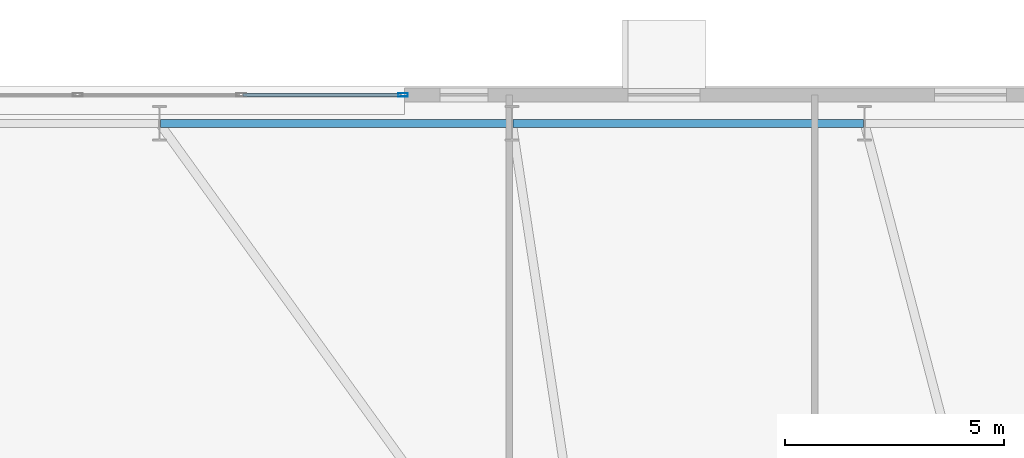
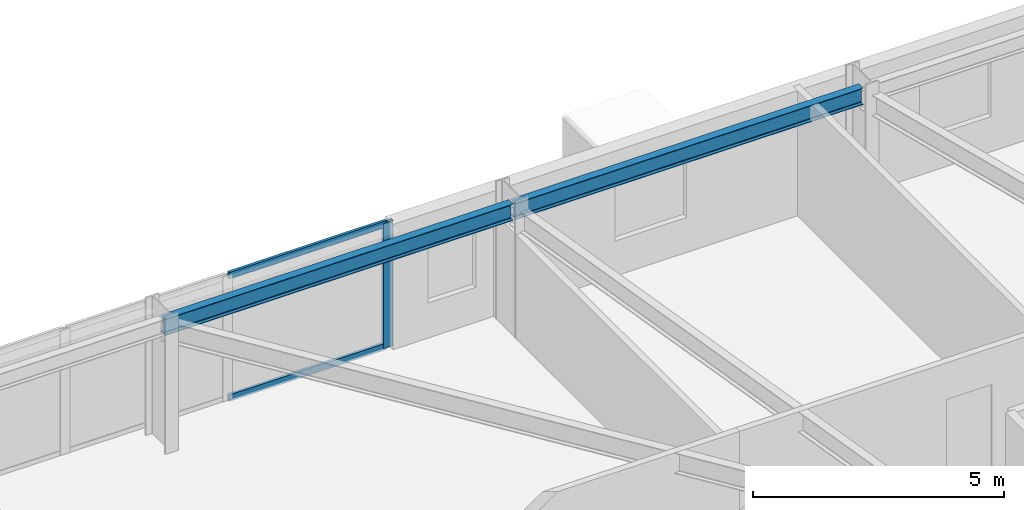
# One storey, part 9 of 18: 3 members, 2 beams, 1 element without a shape of its own.
"""IFC4 building model written with IfcOpenShell, lengths in metres."""

from ifc_helpers import new_model, si_unit, direction, frame, origin, origin_2d, place, context, subcontext, project, spatial, hollow_rectangle, i_section, extrude, material, layer, layer_set, material_profile, profile_set, type_object, element, aggregate, save


model = new_model("IFC4")

# Units and contexts
model_context = context("Model", 3, precision=1e-05, world=origin(), true_north=direction((0.0, 1.0)))
body_context = subcontext(model_context, "Body", "Model", "MODEL_VIEW")
ifc_project = project(units=[si_unit("LENGTHUNIT", "METRE"), si_unit("AREAUNIT", "SQUARE_METRE"), si_unit("VOLUMEUNIT", "CUBIC_METRE"), si_unit("PLANEANGLEUNIT", "RADIAN"), si_unit("MASSUNIT", "GRAM", prefix="KILO")], contexts=[model_context])

# Site, building, storey
site_placement = place(None, origin())
site = spatial("IfcSite", under=ifc_project, at=site_placement, CompositionType="ELEMENT")
building_placement = place(site_placement, origin())
building = spatial("IfcBuilding", under=site, at=building_placement, Name="Qobustan Lattice House", CompositionType="ELEMENT")
storey_placement = place(building_placement, frame((0.0, 0.0, 147.75)))
storey = spatial("IfcBuildingStorey", under=building, at=storey_placement, Name="L41", CompositionType="ELEMENT", Elevation=147.75)

# Beams
ifc_material_1 = material(Name="Steel S355", Category="steel")
ifc_material_profile_1 = material_profile(ifc_material_1, i_section(OverallWidth=0.179931640625, OverallDepth=0.39990234375, WebThickness=0.008544921875, FlangeThickness=0.013427734375, FilletRadius=0.02099609375, at=origin_2d()), Name="IPE400")
ifc_profile_set_1 = profile_set([ifc_material_profile_1], Name="Steel S355")
beam_type = type_object("IfcBeamType", Name="BM-SPD-IPE400", PredefinedType="SPANDREL", material=ifc_profile_set_1)
for number, where, z_axis, x_axis, name in (
    (1, (15.074951171875, 19.75, 2.840087890625), (-1.0, 0.0, 0.0), (0.0, -1.0, 0.0), "L41 perimeter spandrel N2-N3"),
    (2, (7.02490234375, 19.75, 2.840087890625), (-1.0, 0.0, 0.0), (0.0, -1.0, 0.0), "L41 perimeter spandrel N3-N4"),
):
    element("IfcBeam", number, at=place(storey_placement, frame(where, z_axis=z_axis, x_axis=x_axis)), inside=storey, type_object=beam_type, Name=name, PredefinedType="SPANDREL", context=body_context, shape_type="SweptSolid", body=[
        extrude(i_section(OverallWidth=0.179931640625, OverallDepth=0.39990234375, WebThickness=0.008544921875, FlangeThickness=0.013427734375, FilletRadius=0.02099609375, at=origin_2d()), origin(), (0.0, 0.0, 1.0), 8.0),
    ])

# Curtain wall, members
ifc_material_2 = material(Name="Anodised aluminium and low-E glazing", Category="aluminium")
ifc_layer = layer(ifc_material_2, 0.219970703125)
ifc_layer_set = layer_set([ifc_layer], Name="Anodised aluminium and low-E glazing")
curtain_wall_type = type_object("IfcCurtainWallType", Name="CW-IWN-01", PredefinedType="USERDEFINED", material=ifc_layer_set)
curtain_wall_placement = place(storey_placement, origin())
curtain_wall = element("IfcCurtainWall", 3, at=curtain_wall_placement, inside=storey, type_object=curtain_wall_type, Name="L41 IWAN-3 walnut-lined iwan curtain wall", ObjectType="CURTAIN WALL", PredefinedType="USERDEFINED")
ifc_material_3 = material(Name="Anodised aluminium EN AW-6063 T6", Category="aluminium")
ifc_material_profile_2 = material_profile(ifc_material_3, hollow_rectangle(XDim=0.080078125, YDim=0.219970703125, WallThickness=0.0048828125, at=origin_2d()), Name="CWM-220x80")
ifc_profile_set_2 = profile_set([ifc_material_profile_2], Name="Anodised aluminium EN AW-6063 T6")
member_type_1 = type_object("IfcMemberType", Name="CWM-MAIN-220", PredefinedType="MULLION", material=ifc_profile_set_2)
member_1_placement = place(storey_placement, frame((4.56005859375, 20.39990234375, 0.0), z_axis=(0.0, 0.0, 1.0), x_axis=(0.0, 1.0, 0.0)))
member_1 = element("IfcMember", 4, at=member_1_placement, type_object=member_type_1, Name="CW-IW mullion 4", PredefinedType="MULLION", context=body_context, shape_type="SweptSolid", body=[
    extrude(hollow_rectangle(XDim=0.080078125, YDim=0.219970703125, WallThickness=0.0048828125, at=origin_2d()), origin(), (0.0, 0.0, 1.0), 3.0400390625),
])
ifc_material_4 = material(Name="Anodised aluminium EN AW-6063 T6", Category="aluminium")
ifc_material_profile_3 = material_profile(ifc_material_4, hollow_rectangle(XDim=0.06494140625, YDim=0.159912109375, WallThickness=0.00390625, at=origin_2d()), Name="CWT-160x65")
ifc_profile_set_3 = profile_set([ifc_material_profile_3], Name="Anodised aluminium EN AW-6063 T6")
member_type_2 = type_object("IfcMemberType", Name="CWT-HOR-160", PredefinedType="USERDEFINED", material=ifc_profile_set_3)
member_2_placement = place(storey_placement, frame((0.90673828125, 20.39990234375, 0.032470703125), z_axis=(1.0, 0.0, 0.0), x_axis=(0.0, 1.0, 0.0)))
member_2 = element("IfcMember", 5, at=member_2_placement, type_object=member_type_2, Name="CW-IW transom 3.1", ObjectType="TRANSOM", PredefinedType="USERDEFINED", context=body_context, shape_type="SweptSolid", body=[
    extrude(hollow_rectangle(XDim=0.06494140625, YDim=0.159912109375, WallThickness=0.00390625, at=origin_2d()), origin(), (0.0, 0.0, 1.0), 3.61328125),
])
member_3_placement = place(storey_placement, frame((0.90673828125, 20.39990234375, 3.007568359375), z_axis=(1.0, 0.0, 0.0), x_axis=(0.0, 1.0, 0.0)))
member_3 = element("IfcMember", 6, at=member_3_placement, type_object=member_type_2, Name="CW-IW transom 3.2", ObjectType="TRANSOM", PredefinedType="USERDEFINED", context=body_context, shape_type="SweptSolid", body=[
    extrude(hollow_rectangle(XDim=0.06494140625, YDim=0.159912109375, WallThickness=0.00390625, at=origin_2d()), origin(), (0.0, 0.0, 1.0), 3.61328125),
])
aggregate(curtain_wall, [member_1, member_2, member_3])

save(model, "model.ifc")
